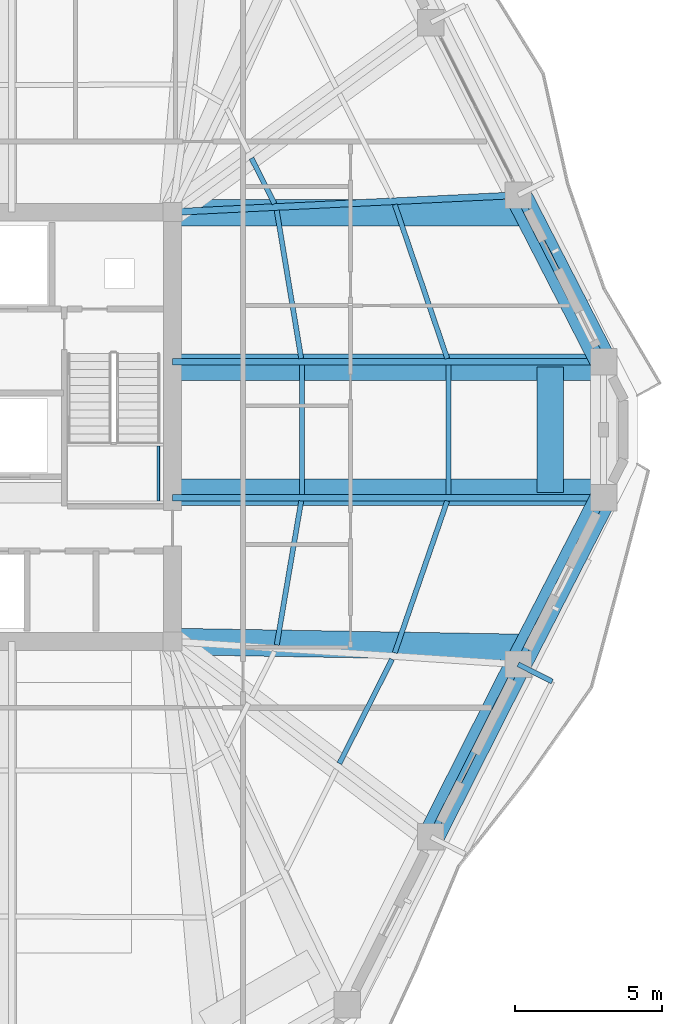
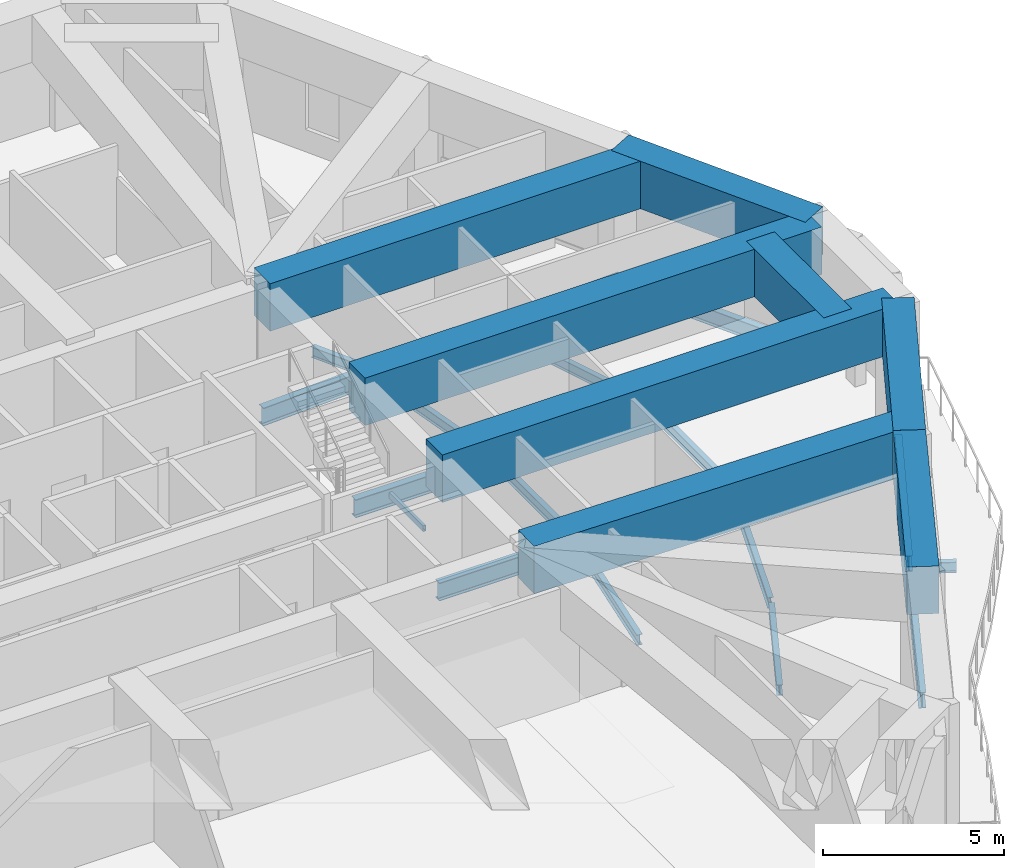
# One storey, part 6 of 20: 24 beams.
"""IFC4 building model written with IfcOpenShell, lengths in metres."""

from ifc_helpers import new_model, si_unit, direction, frame, origin, origin_2d, place, context, subcontext, project, spatial, rectangle, hollow_rectangle, i_section, extrude, material, material_profile, profile_set, type_object, element, save


model = new_model("IFC4")

# Units and contexts
model_context = context("Model", 3, precision=1e-05, world=origin(), true_north=direction((0.0, 1.0)))
body_context = subcontext(model_context, "Body", "Model", "MODEL_VIEW")
ifc_project = project(units=[si_unit("LENGTHUNIT", "METRE"), si_unit("AREAUNIT", "SQUARE_METRE"), si_unit("VOLUMEUNIT", "CUBIC_METRE"), si_unit("PLANEANGLEUNIT", "RADIAN"), si_unit("MASSUNIT", "GRAM", prefix="KILO")], contexts=[model_context])

# Site, building, storey
site_placement = place(None, origin())
site = spatial("IfcSite", under=ifc_project, at=site_placement, CompositionType="ELEMENT")
building_placement = place(site_placement, origin())
building = spatial("IfcBuilding", under=site, at=building_placement, Name="Cinnabar Lancet Tower", CompositionType="ELEMENT")
storey_placement = place(building_placement, frame((0.0, 0.0, 167.699951171875)))
storey = spatial("IfcBuildingStorey", under=building, at=storey_placement, Name="L44", CompositionType="ELEMENT", Elevation=167.699951171875)

# Beams
ifc_material_1 = material(Name="Concrete C70/85", Category="concrete")
ifc_material_profile_1 = material_profile(ifc_material_1, rectangle(XDim=0.89990234375, YDim=1.60009765625, at=origin_2d()), Name="RC-BG 900x1600")
ifc_profile_set_1 = profile_set([ifc_material_profile_1], Name="Concrete C70/85")
beam_type_1 = type_object("IfcBeamType", Name="STR-BM-BG-1600", PredefinedType="BEAM", material=ifc_profile_set_1)
beam_1_placement = place(storey_placement, frame((50.489013671875, 11.955078125, 3.400146484375), z_axis=(0.450671236139, 0.892690000457, 0.0), x_axis=(-0.892690000457, 0.450671236139, 0.0)))
element("IfcBeam", 1, at=beam_1_placement, inside=storey, type_object=beam_type_1, Name="L45 Setback Outer Ring Girder 6", PredefinedType="BEAM", context=body_context, shape_type="SweptSolid", body=[
    extrude(rectangle(XDim=0.89990234375, YDim=1.60009765625, at=origin_2d()), origin(), (0.0, 0.0, 1.0), 6.574462890625),
])
for number, where, z_axis, x_axis, name in (
    (2, (53.451904296875, 17.823974609375, 3.400146484375), (0.456177321992, 0.889888898065, 0.0), (-0.889888898065, 0.456177321992, 0.0), "L45 Setback Outer Ring Girder 7"),
    (3, (56.35693359375, 28.10888671875, 3.400146484375), (-0.456177321992, 0.889888898065, 0.0), (-0.889888898065, -0.456177321992, 0.0), "L45 Setback Outer Ring Girder 9"),
):
    element("IfcBeam", number, at=place(storey_placement, frame(where, z_axis=z_axis, x_axis=x_axis)), inside=storey, type_object=beam_type_1, Name=name, PredefinedType="BEAM", context=body_context, shape_type="SweptSolid", body=[
        extrude(rectangle(XDim=0.89990234375, YDim=1.60009765625, at=origin_2d()), origin(), (0.0, 0.0, 1.0), 6.3681640625),
    ])
beam_2_placement = place(storey_placement, frame((53.553955078125, 18.39990234375, 3.400146484375), z_axis=(-0.999857421254, 0.016886004972, 0.0), x_axis=(-0.016886004972, -0.999857421254, 0.0)))
element("IfcBeam", 4, at=beam_2_placement, inside=storey, type_object=beam_type_1, Name="L45 Setback Continuous Radial Transfer Girder 7", PredefinedType="BEAM", context=body_context, shape_type="SweptSolid", body=[
    extrude(rectangle(XDim=0.89990234375, YDim=1.60009765625, at=origin_2d()), origin(), (0.0, 0.0, 1.0), 11.855712890625),
])
for number, where, z_axis, x_axis, name in (
    (5, (56.238037109375, 23.66796875, 3.400146484375), (-1.0, 0.0, 0.0), (0.0, -1.0, 0.0), "L45 Setback Continuous Radial Transfer Girder 8"),
    (6, (56.238037109375, 27.931884765625, 3.400146484375), (-1.0, 0.0, 0.0), (0.0, -1.0, 0.0), "L45 Setback Continuous Radial Transfer Girder 9"),
):
    element("IfcBeam", number, at=place(storey_placement, frame(where, z_axis=z_axis, x_axis=x_axis)), inside=storey, type_object=beam_type_1, Name=name, PredefinedType="BEAM", context=body_context, shape_type="SweptSolid", body=[
        extrude(rectangle(XDim=0.89990234375, YDim=1.60009765625, at=origin_2d()), origin(), (0.0, 0.0, 1.0), 14.5380859375),
    ])
beam_3_placement = place(storey_placement, frame((53.553955078125, 33.1708984375, 3.400146484375), z_axis=(-1.0, 0.0, 0.0), x_axis=(0.0, -1.0, 0.0)))
element("IfcBeam", 7, at=beam_3_placement, inside=storey, type_object=beam_type_1, Name="L45 Setback Continuous Radial Transfer Girder 10", PredefinedType="BEAM", context=body_context, shape_type="SweptSolid", body=[
    extrude(rectangle(XDim=0.89990234375, YDim=1.60009765625, at=origin_2d()), origin(), (0.0, 0.0, 1.0), 11.85400390625),
])
beam_4_placement = place(storey_placement, frame((54.547119140625, 23.66796875, 3.400146484375), z_axis=(0.0, 1.0, 0.0), x_axis=(-1.0, 0.0, 0.0)))
element("IfcBeam", 8, at=beam_4_placement, inside=storey, type_object=beam_type_1, Name="L45 Setback Pilaster Transfer Chord 3", PredefinedType="BEAM", context=body_context, shape_type="SweptSolid", body=[
    extrude(rectangle(XDim=0.89990234375, YDim=1.60009765625, at=origin_2d()), origin(), (0.0, 0.0, 1.0), 4.263916015625),
])
ifc_material_2 = material(Name="Structural steel S355", Category="steel")
ifc_material_profile_2 = material_profile(ifc_material_2, i_section(OverallWidth=0.17138671875, OverallDepth=0.35498046875, WebThickness=0.00732421875, FlangeThickness=0.011474609375, FilletRadius=0.01025390625, at=origin_2d()), Name="UKB 356x171x51")
ifc_profile_set_2 = profile_set([ifc_material_profile_2], Name="Structural steel S355")
beam_type_2 = type_object("IfcBeamType", Name="STR-BM-JST-356", PredefinedType="JOIST", material=ifc_profile_set_2)
beam_5_placement = place(storey_placement, frame((47.376953125, 14.450927734375, -0.387939453125), z_axis=(0.450656035687, 0.892697674187, 0.0), x_axis=(-0.892697674187, 0.450656035687, 0.0)))
element("IfcBeam", 9, at=beam_5_placement, inside=storey, type_object=beam_type_2, Name="L44 Secondary Floor Joist 19", PredefinedType="JOIST", context=body_context, shape_type="SweptSolid", body=[
    extrude(i_section(OverallWidth=0.17138671875, OverallDepth=0.35498046875, WebThickness=0.00732421875, FlangeThickness=0.011474609375, FilletRadius=0.01025390625, at=origin_2d()), origin(), (0.0, 0.0, 1.0), 3.9677734375),
])
beam_6_placement = place(storey_placement, frame((49.260009765625, 18.215087890625, -0.387939453125), z_axis=(0.326162915393, 0.945313573701, 0.0), x_axis=(-0.945313573701, 0.326162915393, 0.0)))
element("IfcBeam", 10, at=beam_6_placement, inside=storey, type_object=beam_type_2, Name="L44 Secondary Floor Joist 21", PredefinedType="JOIST", context=body_context, shape_type="SweptSolid", body=[
    extrude(i_section(OverallWidth=0.17138671875, OverallDepth=0.35498046875, WebThickness=0.00732421875, FlangeThickness=0.011474609375, FilletRadius=0.01025390625, at=origin_2d()), origin(), (0.0, 0.0, 1.0), 5.46044921875),
])
beam_7_placement = place(storey_placement, frame((45.2451171875, 18.47998046875, -0.387939453125), z_axis=(0.167649950638, 0.985846587483, 0.0), x_axis=(-0.985846587483, 0.167649950638, 0.0)))
element("IfcBeam", 11, at=beam_7_placement, inside=storey, type_object=beam_type_2, Name="L44 Secondary Floor Joist 22", PredefinedType="JOIST", context=body_context, shape_type="SweptSolid", body=[
    extrude(i_section(OverallWidth=0.17138671875, OverallDepth=0.35498046875, WebThickness=0.00732421875, FlangeThickness=0.011474609375, FilletRadius=0.01025390625, at=origin_2d()), origin(), (0.0, 0.0, 1.0), 4.96728515625),
])
for number, where, z_axis, x_axis, name in (
    (12, (51.080078125, 23.60498046875, -0.387939453125), (0.0, 1.0, 0.0), (-1.0, 0.0, 0.0), "L44 Secondary Floor Joist 23"),
    (13, (46.096923828125, 23.60498046875, -0.387939453125), (0.0, 1.0, 0.0), (-1.0, 0.0, 0.0), "L44 Secondary Floor Joist 24"),
):
    element("IfcBeam", number, at=place(storey_placement, frame(where, z_axis=z_axis, x_axis=x_axis)), inside=storey, type_object=beam_type_2, Name=name, PredefinedType="JOIST", context=body_context, shape_type="SweptSolid", body=[
        extrude(i_section(OverallWidth=0.17138671875, OverallDepth=0.35498046875, WebThickness=0.00732421875, FlangeThickness=0.011474609375, FilletRadius=0.01025390625, at=origin_2d()), origin(), (0.0, 0.0, 1.0), 4.39013671875),
    ])
beam_8_placement = place(storey_placement, frame((51.0419921875, 28.222900390625, -0.387939453125), z_axis=(-0.322342106762, 0.946623244067, 0.0), x_axis=(-0.946623244067, -0.322342106762, 0.0)))
element("IfcBeam", 14, at=beam_8_placement, inside=storey, type_object=beam_type_2, Name="L44 Secondary Floor Joist 25", PredefinedType="JOIST", context=body_context, shape_type="SweptSolid", body=[
    extrude(i_section(OverallWidth=0.17138671875, OverallDepth=0.35498046875, WebThickness=0.00732421875, FlangeThickness=0.011474609375, FilletRadius=0.01025390625, at=origin_2d()), origin(), (0.0, 0.0, 1.0), 5.5283203125),
])
beam_9_placement = place(storey_placement, frame((46.077880859375, 28.222900390625, -0.387939453125), z_axis=(-0.163375154205, 0.98656401667, 0.0), x_axis=(-0.98656401667, -0.163375154205, 0.0)))
element("IfcBeam", 15, at=beam_9_placement, inside=storey, type_object=beam_type_2, Name="L44 Secondary Floor Joist 26", PredefinedType="JOIST", context=body_context, shape_type="SweptSolid", body=[
    extrude(i_section(OverallWidth=0.17138671875, OverallDepth=0.35498046875, WebThickness=0.00732421875, FlangeThickness=0.011474609375, FilletRadius=0.01025390625, at=origin_2d()), origin(), (0.0, 0.0, 1.0), 5.104736328125),
])
beam_10_placement = place(storey_placement, frame((45.1689453125, 33.48388671875, -0.387939453125), z_axis=(-0.450425008213, 0.892814265106, 0.0), x_axis=(-0.892814265106, -0.450425008213, 0.0)))
element("IfcBeam", 16, at=beam_10_placement, inside=storey, type_object=beam_type_2, Name="L44 Secondary Floor Joist 28", PredefinedType="JOIST", context=body_context, shape_type="SweptSolid", body=[
    extrude(i_section(OverallWidth=0.17138671875, OverallDepth=0.35498046875, WebThickness=0.00732421875, FlangeThickness=0.011474609375, FilletRadius=0.01025390625, at=origin_2d()), origin(), (0.0, 0.0, 1.0), 1.731689453125),
])
ifc_material_3 = material(Name="Structural steel S355", Category="steel")
ifc_material_profile_3 = material_profile(ifc_material_3, hollow_rectangle(XDim=0.10009765625, YDim=0.199951171875, WallThickness=0.008056640625, InnerFilletRadius=0.00390625, OuterFilletRadius=0.011962890625, at=origin_2d()), Name="RHS 200x100x8")
ifc_profile_set_3 = profile_set([ifc_material_profile_3], Name="Structural steel S355")
beam_type_3 = type_object("IfcBeamType", Name="STR-BM-LND-203", PredefinedType="BEAM", material=ifc_profile_set_3)
beam_11_placement = place(storey_placement, frame((41.219970703125, 23.3798828125, 1.800048828125), z_axis=(0.0, 1.0, 0.0), x_axis=(-1.0, 0.0, 0.0)))
element("IfcBeam", 17, at=beam_11_placement, inside=storey, type_object=beam_type_3, Name="L44 ST-2-L44 Landing Side Trimmer Beam", PredefinedType="BEAM", context=body_context, shape_type="SweptSolid", body=[
    extrude(hollow_rectangle(XDim=0.10009765625, YDim=0.199951171875, WallThickness=0.008056640625, InnerFilletRadius=0.00390625, OuterFilletRadius=0.011962890625, at=origin_2d()), origin(), (0.0, 0.0, 1.0), 1.865234375),
])
ifc_material_4 = material(Name="Structural steel S355", Category="steel")
ifc_material_profile_4 = material_profile(ifc_material_4, i_section(OverallWidth=0.209228515625, OverallDepth=0.533203125, WebThickness=0.010009765625, FlangeThickness=0.015625, FilletRadius=0.0126953125, at=origin_2d()), Name="UKB 533x210x92")
ifc_profile_set_4 = profile_set([ifc_material_profile_4], Name="Structural steel S355")
beam_type_4 = type_object("IfcBeamType", Name="STR-BM-SPN-533", PredefinedType="SPANDREL", material=ifc_profile_set_4)
beam_12_placement = place(storey_placement, frame((50.60205078125, 12.177978515625, -0.47705078125), z_axis=(0.450570325924, 0.892740937449, 0.0), x_axis=(-0.892740937449, 0.450570325924, 0.0)))
element("IfcBeam", 18, at=beam_12_placement, inside=storey, type_object=beam_type_4, Name="L44 Perimeter Spandrel 6", PredefinedType="SPANDREL", context=body_context, shape_type="SweptSolid", body=[
    extrude(i_section(OverallWidth=0.209228515625, OverallDepth=0.533203125, WebThickness=0.010009765625, FlangeThickness=0.015625, FilletRadius=0.0126953125, at=origin_2d()), origin(), (0.0, 0.0, 1.0), 6.07470703125),
])
beam_13_placement = place(storey_placement, frame((53.56591796875, 18.0458984375, -0.47705078125), z_axis=(0.456109733574, 0.889923542187, 0.0), x_axis=(-0.889923542187, 0.456109733574, 0.0)))
element("IfcBeam", 19, at=beam_13_placement, inside=storey, type_object=beam_type_4, Name="L44 Perimeter Spandrel 7", PredefinedType="SPANDREL", context=body_context, shape_type="SweptSolid", body=[
    extrude(i_section(OverallWidth=0.209228515625, OverallDepth=0.533203125, WebThickness=0.010009765625, FlangeThickness=0.015625, FilletRadius=0.0126953125, at=origin_2d()), origin(), (0.0, 0.0, 1.0), 5.869140625),
])
beam_14_placement = place(storey_placement, frame((56.242919921875, 28.3310546875, -0.47705078125), z_axis=(-0.456126618405, 0.889914888055, 0.0), x_axis=(-0.889914888055, -0.456126618405, 0.0)))
element("IfcBeam", 20, at=beam_14_placement, inside=storey, type_object=beam_type_4, Name="L44 Perimeter Spandrel 9", PredefinedType="SPANDREL", context=body_context, shape_type="SweptSolid", body=[
    extrude(i_section(OverallWidth=0.209228515625, OverallDepth=0.533203125, WebThickness=0.010009765625, FlangeThickness=0.015625, FilletRadius=0.0126953125, at=origin_2d()), origin(), (0.0, 0.0, 1.0), 5.868896484375),
])
ifc_material_5 = material(Name="Structural steel S355", Category="steel")
ifc_material_profile_5 = material_profile(ifc_material_5, i_section(OverallWidth=0.228271484375, OverallDepth=0.607666015625, WebThickness=0.010986328125, FlangeThickness=0.017333984375, FilletRadius=0.0126953125, at=origin_2d()), Name="UKB 610x229x113")
ifc_profile_set_5 = profile_set([ifc_material_profile_5], Name="Structural steel S355")
beam_type_5 = type_object("IfcBeamType", Name="STR-BM-UKB610-113", PredefinedType="BEAM", material=ifc_profile_set_5)
for number, where, z_axis, x_axis, name in (
    (21, (56.35693359375, 23.490966796875, -0.513916015625), (-1.0, 0.0, 0.0), (0.0, -1.0, 0.0), "L44 Primary Floor Girder 8"),
    (22, (56.35693359375, 28.10888671875, -0.513916015625), (-1.0, 0.0, 0.0), (0.0, -1.0, 0.0), "L44 Primary Floor Girder 9"),
):
    element("IfcBeam", number, at=place(storey_placement, frame(where, z_axis=z_axis, x_axis=x_axis)), inside=storey, type_object=beam_type_5, Name=name, PredefinedType="BEAM", context=body_context, shape_type="SweptSolid", body=[
        extrude(i_section(OverallWidth=0.228271484375, OverallDepth=0.607666015625, WebThickness=0.010986328125, FlangeThickness=0.017333984375, FilletRadius=0.0126953125, at=origin_2d()), origin(), (0.0, 0.0, 1.0), 14.656982421875),
    ])
beam_15_placement = place(storey_placement, frame((53.451904296875, 33.77587890625, -0.513916015625), z_axis=(-0.998801316657, -0.048948236372, 0.0), x_axis=(0.048948236372, -0.998801316657, 0.0)))
element("IfcBeam", 23, at=beam_15_placement, inside=storey, type_object=beam_type_5, Name="L44 Primary Floor Girder 10", PredefinedType="BEAM", context=body_context, shape_type="SweptSolid", body=[
    extrude(i_section(OverallWidth=0.228271484375, OverallDepth=0.607666015625, WebThickness=0.010986328125, FlangeThickness=0.017333984375, FilletRadius=0.0126953125, at=origin_2d()), origin(), (0.0, 0.0, 1.0), 11.76611328125),
])
ifc_material_6 = material(Name="Structural steel S355", Category="steel")
ifc_material_profile_6 = material_profile(ifc_material_6, i_section(OverallWidth=0.17138671875, OverallDepth=0.35498046875, WebThickness=0.00732421875, FlangeThickness=0.011474609375, FilletRadius=0.01025390625, at=origin_2d()), Name="UKB 356x171x51")
ifc_profile_set_6 = profile_set([ifc_material_profile_6], Name="Structural steel S355")
beam_type_6 = type_object("IfcBeamType", Name="STR-BM-WAV-OUT", PredefinedType="BEAM", material=ifc_profile_set_6)
beam_16_placement = place(storey_placement, frame((53.451904296875, 17.823974609375, -0.41796875), z_axis=(0.892314203325, -0.451414845285, 0.0), x_axis=(0.451414845285, 0.892314203325, 0.0)))
element("IfcBeam", 24, at=beam_16_placement, inside=storey, type_object=beam_type_6, Name="L44 Face 2 Balcony Outlooker B", PredefinedType="BEAM", context=body_context, shape_type="SweptSolid", body=[
    extrude(i_section(OverallWidth=0.17138671875, OverallDepth=0.35498046875, WebThickness=0.00732421875, FlangeThickness=0.011474609375, FilletRadius=0.01025390625, at=origin_2d()), origin(), (0.0, 0.0, 1.0), 1.300048828125),
])

save(model, "model.ifc")
